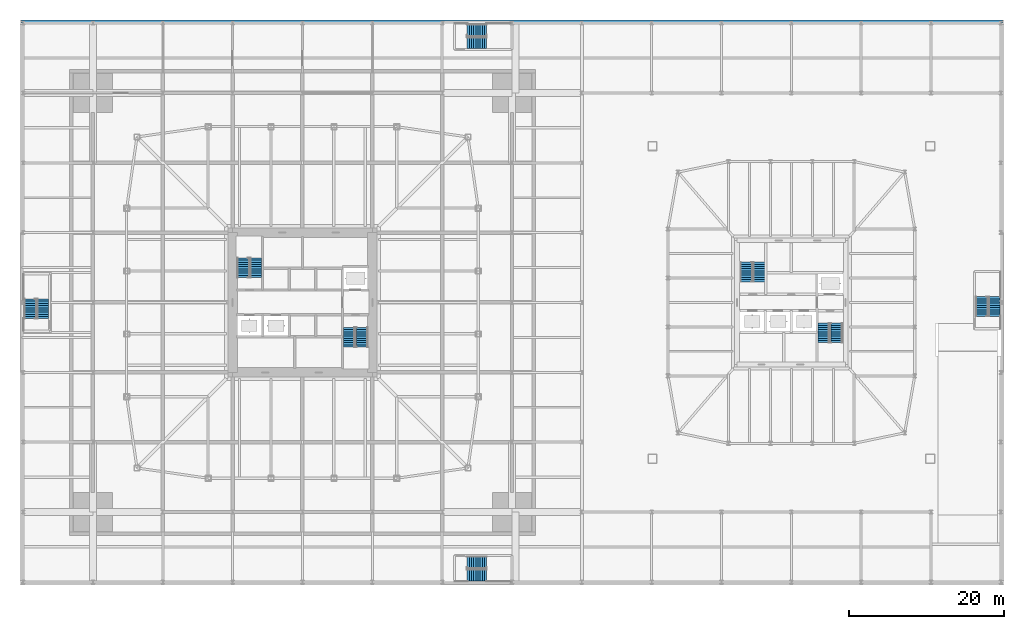
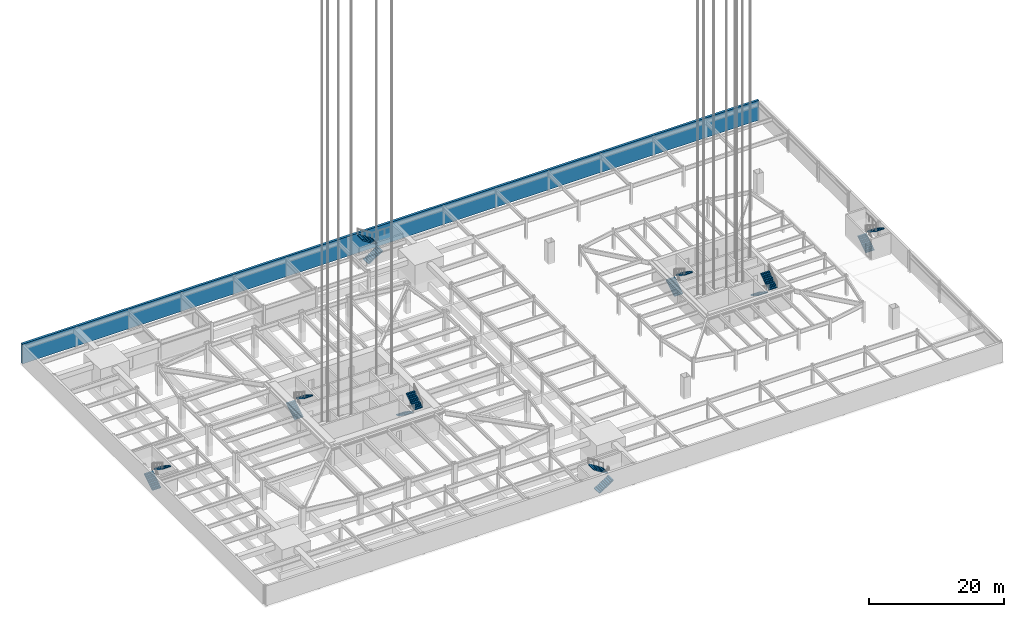
# One storey, part 18 of 35: 16 stair flights, 1 wall, 8 elements without a shape of their own.
"""IFC4 building model written with IfcOpenShell, lengths in metres."""

from ifc_helpers import new_model, si_unit, direction, frame, frame_2d, origin, place, context, subcontext, project, spatial, polyline, rectangle, outline, extrude, material, layer, layer_set, constituent, constituent_set, type_object, element, aggregate, save


model = new_model("IFC4")

# Units and contexts
model_context = context("Model", 3, precision=1e-05, world=origin(), true_north=direction((0.0, 1.0)))
body_context = subcontext(model_context, "Body", "Model", "MODEL_VIEW")
ifc_project = project(units=[si_unit("LENGTHUNIT", "METRE"), si_unit("AREAUNIT", "SQUARE_METRE"), si_unit("VOLUMEUNIT", "CUBIC_METRE"), si_unit("PLANEANGLEUNIT", "RADIAN"), si_unit("MASSUNIT", "GRAM", prefix="KILO")], contexts=[model_context])

# Site, building, storey
site_placement = place(None, origin())
site = spatial("IfcSite", under=ifc_project, at=site_placement, CompositionType="ELEMENT")
building_placement = place(site_placement, origin())
building = spatial("IfcBuilding", under=site, at=building_placement, Name="Iwan Alto Co-Living Towers", CompositionType="ELEMENT")
storey_placement = place(building_placement, frame((0.0, 0.0, -7.199951171875)))
storey = spatial("IfcBuildingStorey", under=building, at=storey_placement, Name="B2", CompositionType="ELEMENT", Elevation=-7.199951171875)

# Wall
ifc_material_1 = material(Name="Concrete f'c 70 MPa", Category="concrete")
ifc_layer = layer(ifc_material_1, 0.39990234375)
ifc_layer_set = layer_set([ifc_layer], Name="BASEMENT RETAINING WALL 400")
wall_type = type_object("IfcWallType", Name="BASEMENT RETAINING WALL 400", PredefinedType="SOLIDWALL", material=ifc_layer_set)
wall_placement = place(storey_placement, frame((90.199951171875, 36.199951171875, 0.0), z_axis=(0.0, 0.0, 1.0), x_axis=(-1.0, 0.0, 0.0)))
element("IfcWall", 1, at=wall_placement, inside=storey, type_object=wall_type, Name="Basement retaining wall N B2", PredefinedType="SOLIDWALL", context=body_context, shape_type="SweptSolid", body=[
    extrude(rectangle(XDim=126.39990234375, YDim=0.39990234375, at=frame_2d((63.199951171875, 0.0))), origin(), (0.0, 0.0, 1.0), 3.599853515625),
])

# Stair, stair flights
ifc_material_2 = material(Name="Steel ASTM A36", Category="steel")
ifc_constituent_1 = constituent(ifc_material_2, Name="Stringers", Category="LoadBearing")
ifc_material_3 = material(Name="Concrete f'c 30 MPa", Category="concrete")
ifc_constituent_2 = constituent(ifc_material_3, Name="Tread fill", Category="Finish")
ifc_constituent_set_1 = constituent_set(constituents=[ifc_constituent_1, ifc_constituent_2], Name="STAIR 3600 TWO-FLIGHT PODIUM")
stair_type_1 = type_object("IfcStairType", Name="STAIR 3600 TWO-FLIGHT PODIUM", PredefinedType="HALF_TURN_STAIR", material=ifc_constituent_set_1)
stair_1_placement = place(storey_placement, origin())
stair_1 = element("IfcStair", 2, at=stair_1_placement, inside=storey, type_object=stair_type_1, Name="Stair PS1 B2 to B1", PredefinedType="HALF_TURN_STAIR")
ifc_constituent_3 = constituent(ifc_material_2, Name="Stringers", Category="LoadBearing")
ifc_constituent_4 = constituent(ifc_material_3, Name="Tread fill", Category="Finish")
ifc_constituent_set_2 = constituent_set(constituents=[ifc_constituent_3, ifc_constituent_4], Name="STAIR FLIGHT 10 RISERS 280 GOING")
stair_flight_type = type_object("IfcStairFlightType", Name="STAIR FLIGHT 10 RISERS 280 GOING", PredefinedType="STRAIGHT", material=ifc_constituent_set_2)
stair_flight_1_placement = place(storey_placement, frame((-35.139892578125, -2.080078125, 0.0), z_axis=(0.0, 0.0, 1.0), x_axis=(0.0, 1.0, 0.0)))
stair_flight_1 = element("IfcStairFlight", 3, at=stair_flight_1_placement, type_object=stair_flight_type, Name="PS1 flight 1", NumberOfRisers=10, NumberOfTreads=9, PredefinedType="STRAIGHT", RiserHeight=0.18, TreadLength=0.28, context=body_context, shape_type="SweptSolid", body=[
    extrude(outline(polyline([(0.0, 0.0), (0.0, 0.179931640625), (0.280029296875, 0.179931640625), (0.280029296875, 0.360107421875), (0.56005859375, 0.360107421875), (0.56005859375, 0.5400390625), (0.840087890625, 0.5400390625), (0.840087890625, 0.719970703125), (1.1201171875, 0.719970703125), (1.1201171875, 0.89990234375), (1.39990234375, 0.89990234375), (1.39990234375, 1.080078125), (1.679931640625, 1.080078125), (1.679931640625, 1.260009765625), (1.9599609375, 1.260009765625), (1.9599609375, 1.43994140625), (2.239990234375, 1.43994140625), (2.239990234375, 1.6201171875), (2.52001953125, 1.6201171875), (2.52001953125, 1.800048828125), (2.52001953125, 1.44189453125), (0.277099609375, 0.0), (0.0, 0.0)])), frame((0.0, 0.739990234375, 0.0), z_axis=(0.0, -1.0, 0.0), x_axis=(1.0, 0.0, 0.0)), (0.0, 0.0, 1.0), 1.47998046875),
])
stair_flight_2_placement = place(storey_placement, frame((-33.4599609375, 0.43994140625, 1.800048828125), z_axis=(0.0, 0.0, 1.0), x_axis=(0.0, -1.0, 0.0)))
stair_flight_2 = element("IfcStairFlight", 4, at=stair_flight_2_placement, type_object=stair_flight_type, Name="PS1 flight 2", NumberOfRisers=10, NumberOfTreads=9, PredefinedType="STRAIGHT", RiserHeight=0.18, TreadLength=0.28, context=body_context, shape_type="SweptSolid", body=[
    extrude(outline(polyline([(0.0, 0.0), (0.0, 0.179931640625), (0.280029296875, 0.179931640625), (0.280029296875, 0.360107421875), (0.56005859375, 0.360107421875), (0.56005859375, 0.5400390625), (0.840087890625, 0.5400390625), (0.840087890625, 0.719970703125), (1.1201171875, 0.719970703125), (1.1201171875, 0.89990234375), (1.39990234375, 0.89990234375), (1.39990234375, 1.080078125), (1.679931640625, 1.080078125), (1.679931640625, 1.260009765625), (1.9599609375, 1.260009765625), (1.9599609375, 1.43994140625), (2.239990234375, 1.43994140625), (2.239990234375, 1.6201171875), (2.52001953125, 1.6201171875), (2.52001953125, 1.800048828125), (2.52001953125, 1.44189453125), (0.277099609375, 0.0), (0.0, 0.0)])), frame((0.0, 0.739990234375, 0.0), z_axis=(0.0, -1.0, 0.0), x_axis=(1.0, 0.0, 0.0)), (0.0, 0.0, 1.0), 1.47998046875),
])
aggregate(stair_1, [stair_flight_1, stair_flight_2])

stair_2_placement = place(storey_placement, origin())
stair_2 = element("IfcStair", 5, at=stair_2_placement, inside=storey, type_object=stair_type_1, Name="Stair PS2 B2 to B1", PredefinedType="HALF_TURN_STAIR")
stair_flight_3_placement = place(storey_placement, frame((87.4599609375, -1.780029296875, 0.0), z_axis=(0.0, 0.0, 1.0), x_axis=(0.0, 1.0, 0.0)))
stair_flight_3 = element("IfcStairFlight", 6, at=stair_flight_3_placement, type_object=stair_flight_type, Name="PS2 flight 1", NumberOfRisers=10, NumberOfTreads=9, PredefinedType="STRAIGHT", RiserHeight=0.18, TreadLength=0.28, context=body_context, shape_type="SweptSolid", body=[
    extrude(outline(polyline([(0.0, 0.0), (0.0, 0.179931640625), (0.280029296875, 0.179931640625), (0.280029296875, 0.360107421875), (0.56005859375, 0.360107421875), (0.56005859375, 0.5400390625), (0.840087890625, 0.5400390625), (0.840087890625, 0.719970703125), (1.1201171875, 0.719970703125), (1.1201171875, 0.89990234375), (1.39990234375, 0.89990234375), (1.39990234375, 1.080078125), (1.679931640625, 1.080078125), (1.679931640625, 1.260009765625), (1.9599609375, 1.260009765625), (1.9599609375, 1.43994140625), (2.239990234375, 1.43994140625), (2.239990234375, 1.6201171875), (2.52001953125, 1.6201171875), (2.52001953125, 1.800048828125), (2.52001953125, 1.44189453125), (0.277099609375, 0.0), (0.0, 0.0)])), frame((0.0, 0.739990234375, 0.0), z_axis=(0.0, -1.0, 0.0), x_axis=(1.0, 0.0, 0.0)), (0.0, 0.0, 1.0), 1.47998046875),
])
stair_flight_4_placement = place(storey_placement, frame((89.139892578125, 0.739990234375, 1.800048828125), z_axis=(0.0, 0.0, 1.0), x_axis=(0.0, -1.0, 0.0)))
stair_flight_4 = element("IfcStairFlight", 7, at=stair_flight_4_placement, type_object=stair_flight_type, Name="PS2 flight 2", NumberOfRisers=10, NumberOfTreads=9, PredefinedType="STRAIGHT", RiserHeight=0.18, TreadLength=0.28, context=body_context, shape_type="SweptSolid", body=[
    extrude(outline(polyline([(0.0, 0.0), (0.0, 0.179931640625), (0.280029296875, 0.179931640625), (0.280029296875, 0.360107421875), (0.56005859375, 0.360107421875), (0.56005859375, 0.5400390625), (0.840087890625, 0.5400390625), (0.840087890625, 0.719970703125), (1.1201171875, 0.719970703125), (1.1201171875, 0.89990234375), (1.39990234375, 0.89990234375), (1.39990234375, 1.080078125), (1.679931640625, 1.080078125), (1.679931640625, 1.260009765625), (1.9599609375, 1.260009765625), (1.9599609375, 1.43994140625), (2.239990234375, 1.43994140625), (2.239990234375, 1.6201171875), (2.52001953125, 1.6201171875), (2.52001953125, 1.800048828125), (2.52001953125, 1.44189453125), (0.277099609375, 0.0), (0.0, 0.0)])), frame((0.0, 0.739990234375, 0.0), z_axis=(0.0, -1.0, 0.0), x_axis=(1.0, 0.0, 0.0)), (0.0, 0.0, 1.0), 1.47998046875),
])
aggregate(stair_2, [stair_flight_3, stair_flight_4])

stair_3_placement = place(storey_placement, origin())
stair_3 = element("IfcStair", 8, at=stair_3_placement, inside=storey, type_object=stair_type_1, Name="Stair PS3 B2 to B1", PredefinedType="HALF_TURN_STAIR")
stair_flight_5_placement = place(storey_placement, frame((21.219970703125, 33.4599609375, 0.0), z_axis=(0.0, 0.0, 1.0), x_axis=(1.0, 0.0, 0.0)))
stair_flight_5 = element("IfcStairFlight", 9, at=stair_flight_5_placement, type_object=stair_flight_type, Name="PS3 flight 1", NumberOfRisers=10, NumberOfTreads=9, PredefinedType="STRAIGHT", RiserHeight=0.18, TreadLength=0.28, context=body_context, shape_type="SweptSolid", body=[
    extrude(outline(polyline([(0.0, 0.0), (0.0, 0.179931640625), (0.280029296875, 0.179931640625), (0.280029296875, 0.360107421875), (0.56005859375, 0.360107421875), (0.56005859375, 0.5400390625), (0.840087890625, 0.5400390625), (0.840087890625, 0.719970703125), (1.1201171875, 0.719970703125), (1.1201171875, 0.89990234375), (1.39990234375, 0.89990234375), (1.39990234375, 1.080078125), (1.679931640625, 1.080078125), (1.679931640625, 1.260009765625), (1.9599609375, 1.260009765625), (1.9599609375, 1.43994140625), (2.239990234375, 1.43994140625), (2.239990234375, 1.6201171875), (2.52001953125, 1.6201171875), (2.52001953125, 1.800048828125), (2.52001953125, 1.44189453125), (0.277099609375, 0.0), (0.0, 0.0)])), frame((0.0, 0.739990234375, 0.0), z_axis=(0.0, -1.0, 0.0), x_axis=(1.0, 0.0, 0.0)), (0.0, 0.0, 1.0), 1.47998046875),
])
stair_flight_6_placement = place(storey_placement, frame((23.739990234375, 35.139892578125, 1.800048828125), z_axis=(0.0, 0.0, 1.0), x_axis=(-1.0, 0.0, 0.0)))
stair_flight_6 = element("IfcStairFlight", 10, at=stair_flight_6_placement, type_object=stair_flight_type, Name="PS3 flight 2", NumberOfRisers=10, NumberOfTreads=9, PredefinedType="STRAIGHT", RiserHeight=0.18, TreadLength=0.28, context=body_context, shape_type="SweptSolid", body=[
    extrude(outline(polyline([(0.0, 0.0), (0.0, 0.179931640625), (0.280029296875, 0.179931640625), (0.280029296875, 0.360107421875), (0.56005859375, 0.360107421875), (0.56005859375, 0.5400390625), (0.840087890625, 0.5400390625), (0.840087890625, 0.719970703125), (1.1201171875, 0.719970703125), (1.1201171875, 0.89990234375), (1.39990234375, 0.89990234375), (1.39990234375, 1.080078125), (1.679931640625, 1.080078125), (1.679931640625, 1.260009765625), (1.9599609375, 1.260009765625), (1.9599609375, 1.43994140625), (2.239990234375, 1.43994140625), (2.239990234375, 1.6201171875), (2.52001953125, 1.6201171875), (2.52001953125, 1.800048828125), (2.52001953125, 1.44189453125), (0.277099609375, 0.0), (0.0, 0.0)])), frame((0.0, 0.739990234375, 0.0), z_axis=(0.0, -1.0, 0.0), x_axis=(1.0, 0.0, 0.0)), (0.0, 0.0, 1.0), 1.47998046875),
])
aggregate(stair_3, [stair_flight_5, stair_flight_6])

stair_4_placement = place(storey_placement, origin())
stair_4 = element("IfcStair", 11, at=stair_4_placement, inside=storey, type_object=stair_type_1, Name="Stair PS4 B2 to B1", PredefinedType="HALF_TURN_STAIR")
stair_flight_7_placement = place(storey_placement, frame((21.219970703125, -35.139892578125, 0.0), z_axis=(0.0, 0.0, 1.0), x_axis=(1.0, 0.0, 0.0)))
stair_flight_7 = element("IfcStairFlight", 12, at=stair_flight_7_placement, type_object=stair_flight_type, Name="PS4 flight 1", NumberOfRisers=10, NumberOfTreads=9, PredefinedType="STRAIGHT", RiserHeight=0.18, TreadLength=0.28, context=body_context, shape_type="SweptSolid", body=[
    extrude(outline(polyline([(0.0, 0.0), (0.0, 0.179931640625), (0.280029296875, 0.179931640625), (0.280029296875, 0.360107421875), (0.56005859375, 0.360107421875), (0.56005859375, 0.5400390625), (0.840087890625, 0.5400390625), (0.840087890625, 0.719970703125), (1.1201171875, 0.719970703125), (1.1201171875, 0.89990234375), (1.39990234375, 0.89990234375), (1.39990234375, 1.080078125), (1.679931640625, 1.080078125), (1.679931640625, 1.260009765625), (1.9599609375, 1.260009765625), (1.9599609375, 1.43994140625), (2.239990234375, 1.43994140625), (2.239990234375, 1.6201171875), (2.52001953125, 1.6201171875), (2.52001953125, 1.800048828125), (2.52001953125, 1.44189453125), (0.277099609375, 0.0), (0.0, 0.0)])), frame((0.0, 0.739990234375, 0.0), z_axis=(0.0, -1.0, 0.0), x_axis=(1.0, 0.0, 0.0)), (0.0, 0.0, 1.0), 1.47998046875),
])
stair_flight_8_placement = place(storey_placement, frame((23.739990234375, -33.4599609375, 1.800048828125), z_axis=(0.0, 0.0, 1.0), x_axis=(-1.0, 0.0, 0.0)))
stair_flight_8 = element("IfcStairFlight", 13, at=stair_flight_8_placement, type_object=stair_flight_type, Name="PS4 flight 2", NumberOfRisers=10, NumberOfTreads=9, PredefinedType="STRAIGHT", RiserHeight=0.18, TreadLength=0.28, context=body_context, shape_type="SweptSolid", body=[
    extrude(outline(polyline([(0.0, 0.0), (0.0, 0.179931640625), (0.280029296875, 0.179931640625), (0.280029296875, 0.360107421875), (0.56005859375, 0.360107421875), (0.56005859375, 0.5400390625), (0.840087890625, 0.5400390625), (0.840087890625, 0.719970703125), (1.1201171875, 0.719970703125), (1.1201171875, 0.89990234375), (1.39990234375, 0.89990234375), (1.39990234375, 1.080078125), (1.679931640625, 1.080078125), (1.679931640625, 1.260009765625), (1.9599609375, 1.260009765625), (1.9599609375, 1.43994140625), (2.239990234375, 1.43994140625), (2.239990234375, 1.6201171875), (2.52001953125, 1.6201171875), (2.52001953125, 1.800048828125), (2.52001953125, 1.44189453125), (0.277099609375, 0.0), (0.0, 0.0)])), frame((0.0, 0.739990234375, 0.0), z_axis=(0.0, -1.0, 0.0), x_axis=(1.0, 0.0, 0.0)), (0.0, 0.0, 1.0), 1.47998046875),
])
aggregate(stair_4, [stair_flight_7, stair_flight_8])

ifc_constituent_5 = constituent(ifc_material_2, Name="Stringers", Category="LoadBearing")
ifc_constituent_6 = constituent(ifc_material_3, Name="Tread fill", Category="Finish")
ifc_constituent_set_3 = constituent_set(constituents=[ifc_constituent_5, ifc_constituent_6], Name="STAIR 3600 TWO-FLIGHT T1 CORE")
stair_type_2 = type_object("IfcStairType", Name="STAIR 3600 TWO-FLIGHT T1 CORE", PredefinedType="HALF_TURN_STAIR", material=ifc_constituent_set_3)
stair_5_placement = place(storey_placement, origin())
stair_5 = element("IfcStair", 14, at=stair_5_placement, inside=storey, type_object=stair_type_2, Name="Stair T1-S1 B2 to B1", PredefinedType="HALF_TURN_STAIR")
stair_flight_9_placement = place(storey_placement, frame((-7.68994140625, 3.219970703125, 0.0), z_axis=(0.0, 0.0, 1.0), x_axis=(0.0, 1.0, 0.0)))
stair_flight_9 = element("IfcStairFlight", 15, at=stair_flight_9_placement, type_object=stair_flight_type, Name="T1-S1 flight 1", NumberOfRisers=10, NumberOfTreads=9, PredefinedType="STRAIGHT", RiserHeight=0.18, TreadLength=0.28, context=body_context, shape_type="SweptSolid", body=[
    extrude(outline(polyline([(0.0, 0.0), (0.0, 0.179931640625), (0.280029296875, 0.179931640625), (0.280029296875, 0.360107421875), (0.56005859375, 0.360107421875), (0.56005859375, 0.5400390625), (0.840087890625, 0.5400390625), (0.840087890625, 0.719970703125), (1.1201171875, 0.719970703125), (1.1201171875, 0.89990234375), (1.39990234375, 0.89990234375), (1.39990234375, 1.080078125), (1.679931640625, 1.080078125), (1.679931640625, 1.260009765625), (1.9599609375, 1.260009765625), (1.9599609375, 1.43994140625), (2.239990234375, 1.43994140625), (2.239990234375, 1.6201171875), (2.52001953125, 1.6201171875), (2.52001953125, 1.800048828125), (2.52001953125, 1.44189453125), (0.277099609375, 0.0), (0.0, 0.0)])), frame((0.0, 0.739990234375, 0.0), z_axis=(0.0, -1.0, 0.0), x_axis=(1.0, 0.0, 0.0)), (0.0, 0.0, 1.0), 1.47998046875),
])
stair_flight_10_placement = place(storey_placement, frame((-6.010009765625, 5.739990234375, 1.800048828125), z_axis=(0.0, 0.0, 1.0), x_axis=(0.0, -1.0, 0.0)))
stair_flight_10 = element("IfcStairFlight", 16, at=stair_flight_10_placement, type_object=stair_flight_type, Name="T1-S1 flight 2", NumberOfRisers=10, NumberOfTreads=9, PredefinedType="STRAIGHT", RiserHeight=0.18, TreadLength=0.28, context=body_context, shape_type="SweptSolid", body=[
    extrude(outline(polyline([(0.0, 0.0), (0.0, 0.179931640625), (0.280029296875, 0.179931640625), (0.280029296875, 0.360107421875), (0.56005859375, 0.360107421875), (0.56005859375, 0.5400390625), (0.840087890625, 0.5400390625), (0.840087890625, 0.719970703125), (1.1201171875, 0.719970703125), (1.1201171875, 0.89990234375), (1.39990234375, 0.89990234375), (1.39990234375, 1.080078125), (1.679931640625, 1.080078125), (1.679931640625, 1.260009765625), (1.9599609375, 1.260009765625), (1.9599609375, 1.43994140625), (2.239990234375, 1.43994140625), (2.239990234375, 1.6201171875), (2.52001953125, 1.6201171875), (2.52001953125, 1.800048828125), (2.52001953125, 1.44189453125), (0.277099609375, 0.0), (0.0, 0.0)])), frame((0.0, 0.739990234375, 0.0), z_axis=(0.0, -1.0, 0.0), x_axis=(1.0, 0.0, 0.0)), (0.0, 0.0, 1.0), 1.47998046875),
])
aggregate(stair_5, [stair_flight_9, stair_flight_10])

stair_6_placement = place(storey_placement, origin())
stair_6 = element("IfcStair", 17, at=stair_6_placement, inside=storey, type_object=stair_type_2, Name="Stair T1-S2 B2 to B1", PredefinedType="HALF_TURN_STAIR")
stair_flight_11_placement = place(storey_placement, frame((6.010009765625, -3.219970703125, 0.0), z_axis=(0.0, 0.0, 1.0), x_axis=(0.0, -1.0, 0.0)))
stair_flight_11 = element("IfcStairFlight", 18, at=stair_flight_11_placement, type_object=stair_flight_type, Name="T1-S2 flight 1", NumberOfRisers=10, NumberOfTreads=9, PredefinedType="STRAIGHT", RiserHeight=0.18, TreadLength=0.28, context=body_context, shape_type="SweptSolid", body=[
    extrude(outline(polyline([(0.0, 0.0), (0.0, 0.179931640625), (0.280029296875, 0.179931640625), (0.280029296875, 0.360107421875), (0.56005859375, 0.360107421875), (0.56005859375, 0.5400390625), (0.840087890625, 0.5400390625), (0.840087890625, 0.719970703125), (1.1201171875, 0.719970703125), (1.1201171875, 0.89990234375), (1.39990234375, 0.89990234375), (1.39990234375, 1.080078125), (1.679931640625, 1.080078125), (1.679931640625, 1.260009765625), (1.9599609375, 1.260009765625), (1.9599609375, 1.43994140625), (2.239990234375, 1.43994140625), (2.239990234375, 1.6201171875), (2.52001953125, 1.6201171875), (2.52001953125, 1.800048828125), (2.52001953125, 1.44189453125), (0.277099609375, 0.0), (0.0, 0.0)])), frame((0.0, 0.739990234375, 0.0), z_axis=(0.0, -1.0, 0.0), x_axis=(1.0, 0.0, 0.0)), (0.0, 0.0, 1.0), 1.47998046875),
])
stair_flight_12_placement = place(storey_placement, frame((7.68994140625, -5.739990234375, 1.800048828125), z_axis=(0.0, 0.0, 1.0), x_axis=(0.0, 1.0, 0.0)))
stair_flight_12 = element("IfcStairFlight", 19, at=stair_flight_12_placement, type_object=stair_flight_type, Name="T1-S2 flight 2", NumberOfRisers=10, NumberOfTreads=9, PredefinedType="STRAIGHT", RiserHeight=0.18, TreadLength=0.28, context=body_context, shape_type="SweptSolid", body=[
    extrude(outline(polyline([(0.0, 0.0), (0.0, 0.179931640625), (0.280029296875, 0.179931640625), (0.280029296875, 0.360107421875), (0.56005859375, 0.360107421875), (0.56005859375, 0.5400390625), (0.840087890625, 0.5400390625), (0.840087890625, 0.719970703125), (1.1201171875, 0.719970703125), (1.1201171875, 0.89990234375), (1.39990234375, 0.89990234375), (1.39990234375, 1.080078125), (1.679931640625, 1.080078125), (1.679931640625, 1.260009765625), (1.9599609375, 1.260009765625), (1.9599609375, 1.43994140625), (2.239990234375, 1.43994140625), (2.239990234375, 1.6201171875), (2.52001953125, 1.6201171875), (2.52001953125, 1.800048828125), (2.52001953125, 1.44189453125), (0.277099609375, 0.0), (0.0, 0.0)])), frame((0.0, 0.739990234375, 0.0), z_axis=(0.0, -1.0, 0.0), x_axis=(1.0, 0.0, 0.0)), (0.0, 0.0, 1.0), 1.47998046875),
])
aggregate(stair_6, [stair_flight_11, stair_flight_12])

ifc_constituent_7 = constituent(ifc_material_2, Name="Stringers", Category="LoadBearing")
ifc_constituent_8 = constituent(ifc_material_3, Name="Tread fill", Category="Finish")
ifc_constituent_set_4 = constituent_set(constituents=[ifc_constituent_7, ifc_constituent_8], Name="STAIR 3600 TWO-FLIGHT T2 CORE")
stair_type_3 = type_object("IfcStairType", Name="STAIR 3600 TWO-FLIGHT T2 CORE", PredefinedType="HALF_TURN_STAIR", material=ifc_constituent_set_4)
stair_7_placement = place(storey_placement, origin())
stair_7 = element("IfcStair", 20, at=stair_7_placement, inside=storey, type_object=stair_type_3, Name="Stair T2-S1 B2 to B1", PredefinedType="HALF_TURN_STAIR")
stair_flight_13_placement = place(storey_placement, frame((57.159912109375, 2.669921875, 0.0), z_axis=(0.0, 0.0, 1.0), x_axis=(0.0, 1.0, 0.0)))
stair_flight_13 = element("IfcStairFlight", 21, at=stair_flight_13_placement, type_object=stair_flight_type, Name="T2-S1 flight 1", NumberOfRisers=10, NumberOfTreads=9, PredefinedType="STRAIGHT", RiserHeight=0.18, TreadLength=0.28, context=body_context, shape_type="SweptSolid", body=[
    extrude(outline(polyline([(0.0, 0.0), (0.0, 0.179931640625), (0.280029296875, 0.179931640625), (0.280029296875, 0.360107421875), (0.56005859375, 0.360107421875), (0.56005859375, 0.5400390625), (0.840087890625, 0.5400390625), (0.840087890625, 0.719970703125), (1.1201171875, 0.719970703125), (1.1201171875, 0.89990234375), (1.39990234375, 0.89990234375), (1.39990234375, 1.080078125), (1.679931640625, 1.080078125), (1.679931640625, 1.260009765625), (1.9599609375, 1.260009765625), (1.9599609375, 1.43994140625), (2.239990234375, 1.43994140625), (2.239990234375, 1.6201171875), (2.52001953125, 1.6201171875), (2.52001953125, 1.800048828125), (2.52001953125, 1.44189453125), (0.277099609375, 0.0), (0.0, 0.0)])), frame((0.0, 0.739990234375, 0.0), z_axis=(0.0, -1.0, 0.0), x_axis=(1.0, 0.0, 0.0)), (0.0, 0.0, 1.0), 1.47998046875),
])
stair_flight_14_placement = place(storey_placement, frame((58.840087890625, 5.18994140625, 1.800048828125), z_axis=(0.0, 0.0, 1.0), x_axis=(0.0, -1.0, 0.0)))
stair_flight_14 = element("IfcStairFlight", 22, at=stair_flight_14_placement, type_object=stair_flight_type, Name="T2-S1 flight 2", NumberOfRisers=10, NumberOfTreads=9, PredefinedType="STRAIGHT", RiserHeight=0.18, TreadLength=0.28, context=body_context, shape_type="SweptSolid", body=[
    extrude(outline(polyline([(0.0, 0.0), (0.0, 0.179931640625), (0.280029296875, 0.179931640625), (0.280029296875, 0.360107421875), (0.56005859375, 0.360107421875), (0.56005859375, 0.5400390625), (0.840087890625, 0.5400390625), (0.840087890625, 0.719970703125), (1.1201171875, 0.719970703125), (1.1201171875, 0.89990234375), (1.39990234375, 0.89990234375), (1.39990234375, 1.080078125), (1.679931640625, 1.080078125), (1.679931640625, 1.260009765625), (1.9599609375, 1.260009765625), (1.9599609375, 1.43994140625), (2.239990234375, 1.43994140625), (2.239990234375, 1.6201171875), (2.52001953125, 1.6201171875), (2.52001953125, 1.800048828125), (2.52001953125, 1.44189453125), (0.277099609375, 0.0), (0.0, 0.0)])), frame((0.0, 0.739990234375, 0.0), z_axis=(0.0, -1.0, 0.0), x_axis=(1.0, 0.0, 0.0)), (0.0, 0.0, 1.0), 1.47998046875),
])
aggregate(stair_7, [stair_flight_13, stair_flight_14])

stair_8_placement = place(storey_placement, origin())
stair_8 = element("IfcStair", 23, at=stair_8_placement, inside=storey, type_object=stair_type_3, Name="Stair T2-S2 B2 to B1", PredefinedType="HALF_TURN_STAIR")
stair_flight_15_placement = place(storey_placement, frame((67.159912109375, -2.669921875, 0.0), z_axis=(0.0, 0.0, 1.0), x_axis=(0.0, -1.0, 0.0)))
stair_flight_15 = element("IfcStairFlight", 24, at=stair_flight_15_placement, type_object=stair_flight_type, Name="T2-S2 flight 1", NumberOfRisers=10, NumberOfTreads=9, PredefinedType="STRAIGHT", RiserHeight=0.18, TreadLength=0.28, context=body_context, shape_type="SweptSolid", body=[
    extrude(outline(polyline([(0.0, 0.0), (0.0, 0.179931640625), (0.280029296875, 0.179931640625), (0.280029296875, 0.360107421875), (0.56005859375, 0.360107421875), (0.56005859375, 0.5400390625), (0.840087890625, 0.5400390625), (0.840087890625, 0.719970703125), (1.1201171875, 0.719970703125), (1.1201171875, 0.89990234375), (1.39990234375, 0.89990234375), (1.39990234375, 1.080078125), (1.679931640625, 1.080078125), (1.679931640625, 1.260009765625), (1.9599609375, 1.260009765625), (1.9599609375, 1.43994140625), (2.239990234375, 1.43994140625), (2.239990234375, 1.6201171875), (2.52001953125, 1.6201171875), (2.52001953125, 1.800048828125), (2.52001953125, 1.44189453125), (0.277099609375, 0.0), (0.0, 0.0)])), frame((0.0, 0.739990234375, 0.0), z_axis=(0.0, -1.0, 0.0), x_axis=(1.0, 0.0, 0.0)), (0.0, 0.0, 1.0), 1.47998046875),
])
stair_flight_16_placement = place(storey_placement, frame((68.840087890625, -5.18994140625, 1.800048828125), z_axis=(0.0, 0.0, 1.0), x_axis=(0.0, 1.0, 0.0)))
stair_flight_16 = element("IfcStairFlight", 25, at=stair_flight_16_placement, type_object=stair_flight_type, Name="T2-S2 flight 2", NumberOfRisers=10, NumberOfTreads=9, PredefinedType="STRAIGHT", RiserHeight=0.18, TreadLength=0.28, context=body_context, shape_type="SweptSolid", body=[
    extrude(outline(polyline([(0.0, 0.0), (0.0, 0.179931640625), (0.280029296875, 0.179931640625), (0.280029296875, 0.360107421875), (0.56005859375, 0.360107421875), (0.56005859375, 0.5400390625), (0.840087890625, 0.5400390625), (0.840087890625, 0.719970703125), (1.1201171875, 0.719970703125), (1.1201171875, 0.89990234375), (1.39990234375, 0.89990234375), (1.39990234375, 1.080078125), (1.679931640625, 1.080078125), (1.679931640625, 1.260009765625), (1.9599609375, 1.260009765625), (1.9599609375, 1.43994140625), (2.239990234375, 1.43994140625), (2.239990234375, 1.6201171875), (2.52001953125, 1.6201171875), (2.52001953125, 1.800048828125), (2.52001953125, 1.44189453125), (0.277099609375, 0.0), (0.0, 0.0)])), frame((0.0, 0.739990234375, 0.0), z_axis=(0.0, -1.0, 0.0), x_axis=(1.0, 0.0, 0.0)), (0.0, 0.0, 1.0), 1.47998046875),
])
aggregate(stair_8, [stair_flight_15, stair_flight_16])

save(model, "model.ifc")
